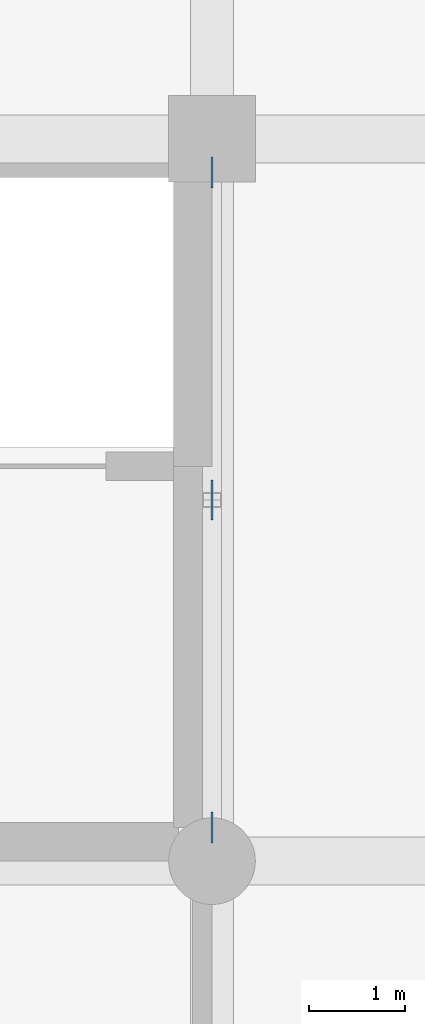
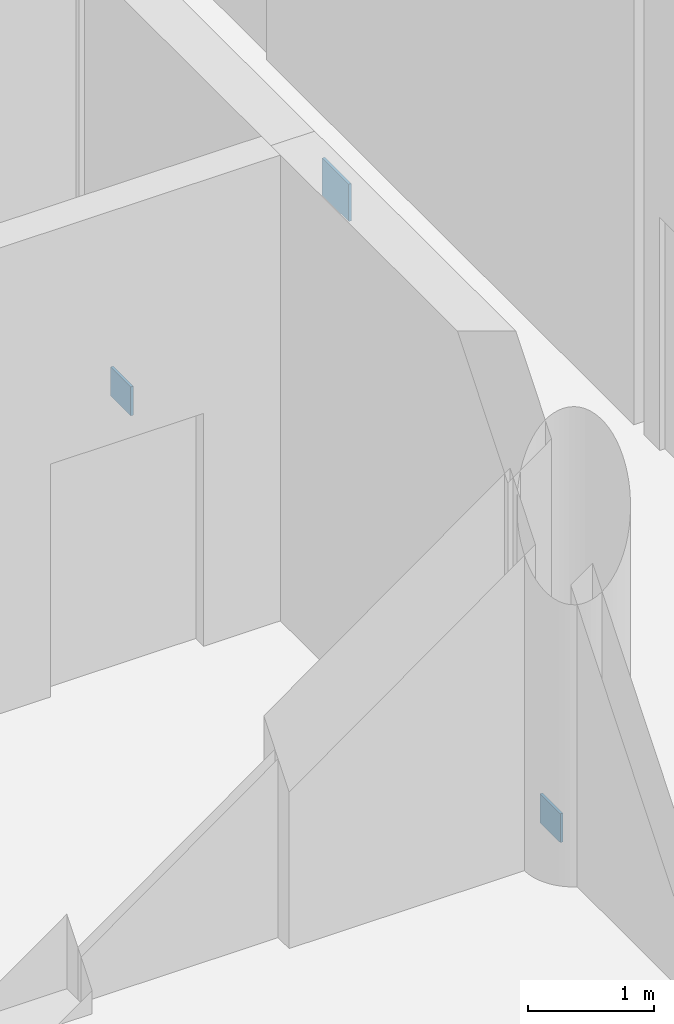
# One storey, part 88 of 125: 3 plates.
"""IFC4 building model written with IfcOpenShell, lengths in metres."""

from ifc_helpers import new_model, si_unit, direction, frame, origin, origin_2d, place, context, subcontext, project, spatial, rectangle, extrude, material, layer, layer_set, type_object, element, save


model = new_model("IFC4")

# Units and contexts
model_context = context("Model", 3, precision=1e-05, world=origin(), true_north=direction((0.0, 1.0)))
body_context = subcontext(model_context, "Body", "Model", "MODEL_VIEW")
ifc_project = project(units=[si_unit("LENGTHUNIT", "METRE"), si_unit("AREAUNIT", "SQUARE_METRE"), si_unit("VOLUMEUNIT", "CUBIC_METRE"), si_unit("PLANEANGLEUNIT", "RADIAN"), si_unit("MASSUNIT", "GRAM", prefix="KILO")], contexts=[model_context])

# Site, building, storey
site_placement = place(None, origin())
site = spatial("IfcSite", under=ifc_project, at=site_placement, CompositionType="ELEMENT")
building_placement = place(site_placement, origin())
building = spatial("IfcBuilding", under=site, at=building_placement, Name="Dalvernix Boulevard General Hospital", CompositionType="ELEMENT")
storey_placement = place(building_placement, origin())
storey = spatial("IfcBuildingStorey", under=building, at=storey_placement, Name="L00", CompositionType="ELEMENT", Elevation=0.0)

# Plates
ifc_material = material(Name="Steel S355", Category="steel")
ifc_layer = layer(ifc_material, 0.028076171875)
ifc_layer_set = layer_set([ifc_layer], Name="Steel S355 (PLT-NP-03)")
plate_type = type_object("IfcPlateType", Name="PLT-NP-03", PredefinedType="SHEET", material=ifc_layer_set)
plate_placement = place(storey_placement, frame((15.0, 57.75, 3.9697265625), z_axis=(0.0, 0.0, 1.0), x_axis=(0.0, 1.0, 0.0)))
element("IfcPlate", 1, at=plate_placement, inside=storey, type_object=plate_type, Name="L00 brace apex gusset plate 2", PredefinedType="SHEET", context=body_context, shape_type="SweptSolid", body=[
    extrude(rectangle(XDim=0.419921875, YDim=0.02392578125, at=origin_2d()), origin(), (0.0, 0.0, 1.0), 0.360107421875),
])
for number, where, z_axis, x_axis, name in (
    (2, (15.0, 54.35009765625, 0.0), (0.0, 0.0, 1.0), (0.0, 1.0, 0.0), "L00 brace base gusset plate 2S"),
    (3, (15.0, 61.14990234375, 0.0), (0.0, 0.0, 1.0), (0.0, 1.0, 0.0), "L00 brace base gusset plate 2N"),
):
    element("IfcPlate", number, at=place(storey_placement, frame(where, z_axis=z_axis, x_axis=x_axis)), inside=storey, type_object=plate_type, Name=name, PredefinedType="SHEET", context=body_context, shape_type="SweptSolid", body=[
        extrude(rectangle(XDim=0.320068359375, YDim=0.02392578125, at=origin_2d()), origin(), (0.0, 0.0, 1.0), 0.280029296875),
    ])

save(model, "model.ifc")
